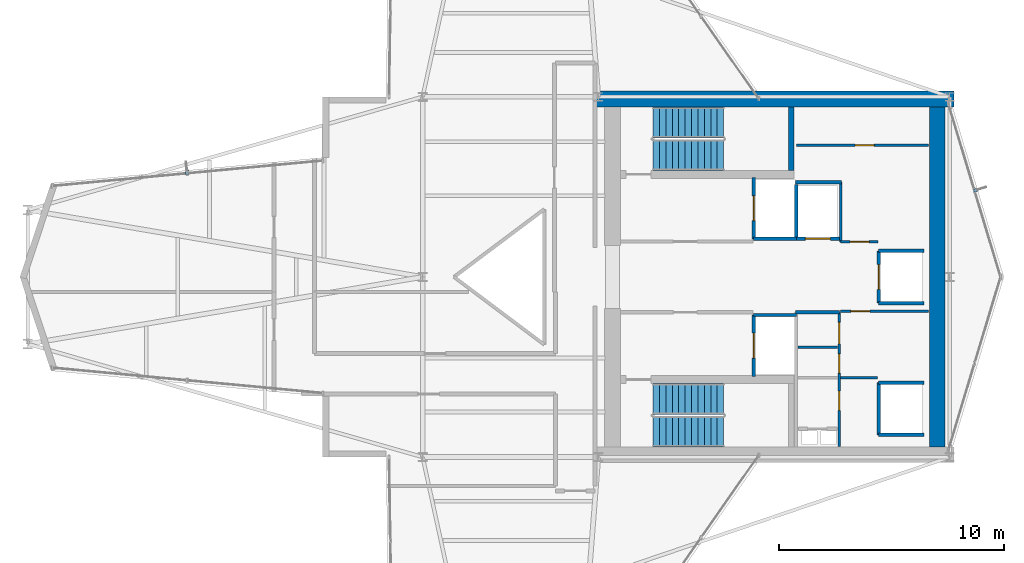
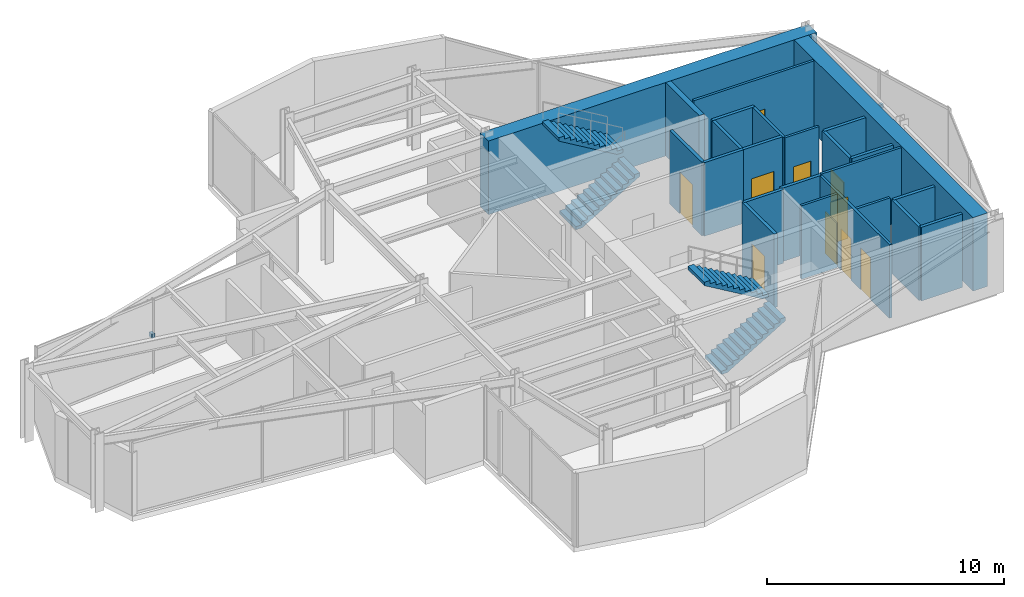
# One storey, part 21 of 22: 24 walls, 10 doors, 4 stair flights, 2 discrete accessories, 10 openings, 2 elements without a shape of their own.
"""IFC4 building model written with IfcOpenShell, lengths in metres."""

from ifc_helpers import new_model, si_unit, direction, frame, frame_2d, origin, origin_2d, place, context, subcontext, project, spatial, polyline, rectangle, outline, extrude, material, layer, layer_set, type_object, element, fill, aggregate, save


model = new_model("IFC4")

# Units and contexts
model_context = context("Model", 3, precision=1e-05, world=origin(), true_north=direction((0.0, 1.0)))
body_context = subcontext(model_context, "Body", "Model", "MODEL_VIEW")
ifc_project = project(units=[si_unit("LENGTHUNIT", "METRE"), si_unit("AREAUNIT", "SQUARE_METRE"), si_unit("VOLUMEUNIT", "CUBIC_METRE"), si_unit("PLANEANGLEUNIT", "RADIAN"), si_unit("MASSUNIT", "GRAM", prefix="KILO")], contexts=[model_context])

# Site, building, storey
site_placement = place(None, origin())
site = spatial("IfcSite", under=ifc_project, at=site_placement, CompositionType="ELEMENT")
building_placement = place(site_placement, origin())
building = spatial("IfcBuilding", under=site, at=building_placement, Name="Veymaron Broadcast Tower", CompositionType="ELEMENT")
storey_placement = place(building_placement, frame((0.0, 0.0, 216.14990234375)))
storey = spatial("IfcBuildingStorey", under=building, at=storey_placement, Name="L50", CompositionType="ELEMENT", Elevation=216.14990234375)

# Wall, opening, door
ifc_material_1 = material(Name="Gypsum fireboard and steel stud framing", Category="steel")
ifc_layer_1 = layer(ifc_material_1, 0.14990234375)
ifc_layer_set_1 = layer_set([ifc_layer_1], Name="Gypsum fireboard and steel stud framing")
wall_type_1 = type_object("IfcWallType", Name="WALL-FIRE-150", PredefinedType="PARTITIONING", material=ifc_layer_set_1)
wall_1_placement = place(storey_placement, frame((45.89501953125, 25.68994140625, 0.0), z_axis=(0.0, 0.0, 1.0), x_axis=(0.0, 1.0, 0.0)))
wall_1 = element("IfcWall", 1, at=wall_1_placement, inside=storey, type_object=wall_type_1, Name="L50 partition IW-L50-SHW-FFL-1", PredefinedType="PARTITIONING", context=body_context, shape_type="SweptSolid", body=[
    extrude(rectangle(XDim=2.719970703125, YDim=0.14990234375, at=frame_2d((1.35986328125, 0.0))), origin(), (0.0, 0.0, 1.0), 3.7900390625),
])
opening_1_placement = place(wall_1_placement, frame((0.81005859375, 0.0, 0.0)))
opening_1 = element("IfcOpeningElement", 2, at=opening_1_placement, cuts=wall_1, Name="Opening LD", PredefinedType="OPENING", context=body_context, shape_type="SweptSolid", body=[
    extrude(rectangle(XDim=1.10009765625, YDim=2.14990234375, at=frame_2d((0.550048828125, 1.074951171875))), frame((0.0, 0.0849609375, 0.0), z_axis=(0.0, -1.0, 0.0), x_axis=(1.0, 0.0, 0.0)), (0.0, 0.0, 1.0), 0.169921875),
])
ifc_material_2 = material(Name="Brushed stainless steel AISI 304", Category="steel")
door_type_1 = type_object("IfcDoorType", Name="DOOR-LIFT-1100", OperationType="DOUBLE_DOOR_SLIDING", PredefinedType="DOOR", material=ifc_material_2)
door_1_placement = place(opening_1_placement, frame((1.10009765625, 0.0, 0.0), z_axis=(0.0, 0.0, 1.0), x_axis=(-1.0, 0.0, 0.0)))
door_1 = element("IfcDoor", 3, at=door_1_placement, inside=storey, type_object=door_type_1, Name="L50 door LD-L50-FFL-1", OperationType="DOUBLE_DOOR_SLIDING", OverallHeight=2.14990234375, OverallWidth=1.10009765625, PredefinedType="DOOR", context=body_context, shape_type="SweptSolid", body=[
    extrude(rectangle(XDim=1.10009765625, YDim=2.14990234375, at=frame_2d((0.550048828125, 1.074951171875))), frame((0.0, 0.02490234375, 0.0), z_axis=(0.0, -1.0, 0.0), x_axis=(1.0, 0.0, 0.0)), (0.0, 0.0, 1.0), 0.050048828125),
])
fill(opening_1, door_1)

# Wall
wall_2_placement = place(storey_placement, frame((45.89501953125, 25.68994140625, 0.0), z_axis=(0.0, 0.0, 1.0), x_axis=(1.0, 0.0, 0.0)))
element("IfcWall", 4, at=wall_2_placement, inside=storey, type_object=wall_type_1, Name="L50 partition IW-L50-SHS-FFL-1", PredefinedType="PARTITIONING", context=body_context, shape_type="SweptSolid", body=[
    extrude(rectangle(XDim=1.9150390625, YDim=0.14990234375, at=frame_2d((0.95751953125, 0.0))), origin(), (0.0, 0.0, 1.0), 3.7900390625),
])

# Wall, opening, door
wall_3_placement = place(storey_placement, frame((45.89501953125, 19.590087890625, 0.0), z_axis=(0.0, 0.0, 1.0), x_axis=(0.0, 1.0, 0.0)))
wall_3 = element("IfcWall", 5, at=wall_3_placement, inside=storey, type_object=wall_type_1, Name="L50 partition IW-L50-SHW-FFL-2", PredefinedType="PARTITIONING", context=body_context, shape_type="SweptSolid", body=[
    extrude(rectangle(XDim=2.719970703125, YDim=0.14990234375, at=frame_2d((1.35986328125, 0.0))), origin(), (0.0, 0.0, 1.0), 3.7900390625),
])
opening_2_placement = place(wall_3_placement, frame((0.81005859375, 0.0, 0.0)))
opening_2 = element("IfcOpeningElement", 6, at=opening_2_placement, cuts=wall_3, Name="Opening LD", PredefinedType="OPENING", context=body_context, shape_type="SweptSolid", body=[
    extrude(rectangle(XDim=1.10009765625, YDim=2.14990234375, at=frame_2d((0.550048828125, 1.074951171875))), frame((0.0, 0.0849609375, 0.0), z_axis=(0.0, -1.0, 0.0), x_axis=(1.0, 0.0, 0.0)), (0.0, 0.0, 1.0), 0.169921875),
])
door_2_placement = place(opening_2_placement, frame((1.10009765625, 0.0, 0.0), z_axis=(0.0, 0.0, 1.0), x_axis=(-1.0, 0.0, 0.0)))
door_2 = element("IfcDoor", 7, at=door_2_placement, inside=storey, type_object=door_type_1, Name="L50 door LD-L50-FFL-2", OperationType="DOUBLE_DOOR_SLIDING", OverallHeight=2.14990234375, OverallWidth=1.10009765625, PredefinedType="DOOR", context=body_context, shape_type="SweptSolid", body=[
    extrude(rectangle(XDim=1.10009765625, YDim=2.14990234375, at=frame_2d((0.550048828125, 1.074951171875))), frame((0.0, 0.02490234375, 0.0), z_axis=(0.0, -1.0, 0.0), x_axis=(1.0, 0.0, 0.0)), (0.0, 0.0, 1.0), 0.050048828125),
])
fill(opening_2, door_2)

# Wall
wall_4_placement = place(storey_placement, frame((45.89501953125, 22.31005859375, 0.0), z_axis=(0.0, 0.0, 1.0), x_axis=(1.0, 0.0, 0.0)))
element("IfcWall", 8, at=wall_4_placement, inside=storey, type_object=wall_type_1, Name="L50 partition IW-L50-SHN-FFL-2", PredefinedType="PARTITIONING", context=body_context, shape_type="SweptSolid", body=[
    extrude(rectangle(XDim=1.9150390625, YDim=0.14990234375, at=frame_2d((0.95751953125, 0.0))), origin(), (0.0, 0.0, 1.0), 3.7900390625),
])

# Wall, opening, door
wall_5_placement = place(storey_placement, frame((47.7900390625, 25.695068359375, 0.0), z_axis=(0.0, 0.0, 1.0), x_axis=(1.0, 0.0, 0.0)))
wall_5 = element("IfcWall", 9, at=wall_5_placement, inside=storey, type_object=wall_type_1, Name="L50 partition IW-L50-SHS-SL-1", PredefinedType="PARTITIONING", context=body_context, shape_type="SweptSolid", body=[
    extrude(rectangle(XDim=1.919921875, YDim=0.14990234375, at=frame_2d((0.9599609375, 0.0))), origin(), (0.0, 0.0, 1.0), 3.7900390625),
])
opening_3_placement = place(wall_5_placement, frame((0.409912109375, 0.0, 0.0)))
opening_3 = element("IfcOpeningElement", 10, at=opening_3_placement, cuts=wall_5, Name="Opening LD", PredefinedType="OPENING", context=body_context, shape_type="SweptSolid", body=[
    extrude(rectangle(XDim=1.10009765625, YDim=2.14990234375, at=frame_2d((0.550048828125, 1.074951171875))), frame((0.0, 0.0849609375, 0.0), z_axis=(0.0, -1.0, 0.0), x_axis=(1.0, 0.0, 0.0)), (0.0, 0.0, 1.0), 0.169921875),
])
door_3_placement = place(opening_3_placement, frame((1.10009765625, 0.0, 0.0), z_axis=(0.0, 0.0, 1.0), x_axis=(-1.0, 0.0, 0.0)))
door_3 = element("IfcDoor", 11, at=door_3_placement, inside=storey, type_object=door_type_1, Name="L50 door LD-L50-SL-1", OperationType="DOUBLE_DOOR_SLIDING", OverallHeight=2.14990234375, OverallWidth=1.10009765625, PredefinedType="DOOR", context=body_context, shape_type="SweptSolid", body=[
    extrude(rectangle(XDim=1.10009765625, YDim=2.14990234375, at=frame_2d((0.550048828125, 1.074951171875))), frame((0.0, 0.02490234375, 0.0), z_axis=(0.0, -1.0, 0.0), x_axis=(1.0, 0.0, 0.0)), (0.0, 0.0, 1.0), 0.050048828125),
])
fill(opening_3, door_3)

# Wall
wall_6_placement = place(storey_placement, frame((47.7900390625, 25.695068359375, 0.0), z_axis=(0.0, 0.0, 1.0), x_axis=(0.0, 1.0, 0.0)))
element("IfcWall", 12, at=wall_6_placement, inside=storey, type_object=wall_type_1, Name="L50 partition IW-L50-SHW-SL-1", PredefinedType="PARTITIONING", context=body_context, shape_type="SweptSolid", body=[
    extrude(rectangle(XDim=2.4150390625, YDim=0.14990234375, at=frame_2d((1.20751953125, 0.0))), origin(), (0.0, 0.0, 1.0), 3.7900390625),
])

# Wall, opening, door
wall_7_placement = place(storey_placement, frame((51.445068359375, 22.840087890625, 0.0), z_axis=(0.0, 0.0, 1.0), x_axis=(0.0, 1.0, 0.0)))
wall_7 = element("IfcWall", 13, at=wall_7_placement, inside=storey, type_object=wall_type_1, Name="L50 partition IW-L50-SHW-PM3", PredefinedType="PARTITIONING", context=body_context, shape_type="SweptSolid", body=[
    extrude(rectangle(XDim=2.31982421875, YDim=0.14990234375, at=frame_2d((1.159912109375, 0.0))), origin(), (0.0, 0.0, 1.0), 3.7900390625),
])
opening_4_placement = place(wall_7_placement, frame((0.610107421875, 0.0, 0.0)))
opening_4 = element("IfcOpeningElement", 14, at=opening_4_placement, cuts=wall_7, Name="Opening LD", PredefinedType="OPENING", context=body_context, shape_type="SweptSolid", body=[
    extrude(rectangle(XDim=1.10009765625, YDim=2.14990234375, at=frame_2d((0.550048828125, 1.074951171875))), frame((0.0, 0.0849609375, 0.0), z_axis=(0.0, -1.0, 0.0), x_axis=(1.0, 0.0, 0.0)), (0.0, 0.0, 1.0), 0.169921875),
])
door_4_placement = place(opening_4_placement, frame((1.10009765625, 0.0, 0.0), z_axis=(0.0, 0.0, 1.0), x_axis=(-1.0, 0.0, 0.0)))
door_4 = element("IfcDoor", 15, at=door_4_placement, inside=storey, type_object=door_type_1, Name="L50 door LD-L50-PM3", OperationType="DOUBLE_DOOR_SLIDING", OverallHeight=2.14990234375, OverallWidth=1.10009765625, PredefinedType="DOOR", context=body_context, shape_type="SweptSolid", body=[
    extrude(rectangle(XDim=1.10009765625, YDim=2.14990234375, at=frame_2d((0.550048828125, 1.074951171875))), frame((0.0, 0.02490234375, 0.0), z_axis=(0.0, -1.0, 0.0), x_axis=(1.0, 0.0, 0.0)), (0.0, 0.0, 1.0), 0.050048828125),
])
fill(opening_4, door_4)

# Walls
for number, where, z_axis, x_axis, name in (
    (16, (51.445068359375, 22.840087890625, 0.0), (0.0, 0.0, 1.0), (1.0, 0.0, 0.0), "L50 partition IW-L50-SHS-PM3"),
    (17, (51.445068359375, 25.159912109375, 0.0), (0.0, 0.0, 1.0), (1.0, 0.0, 0.0), "L50 partition IW-L50-SHN-PM3"),
):
    element("IfcWall", number, at=place(storey_placement, frame(where, z_axis=z_axis, x_axis=x_axis)), inside=storey, type_object=wall_type_1, Name=name, PredefinedType="PARTITIONING", context=body_context, shape_type="SweptSolid", body=[
        extrude(rectangle(XDim=2.014892578125, YDim=0.14990234375, at=frame_2d((1.00732421875, 0.0))), origin(), (0.0, 0.0, 1.0), 3.7900390625),
    ])
wall_8_placement = place(storey_placement, frame((51.445068359375, 16.989990234375, 0.0), z_axis=(0.0, 0.0, 1.0), x_axis=(0.0, 1.0, 0.0)))
element("IfcWall", 18, at=wall_8_placement, inside=storey, type_object=wall_type_1, Name="L50 partition IW-L50-SHW-PH1", PredefinedType="PARTITIONING", context=body_context, shape_type="SweptSolid", body=[
    extrude(rectangle(XDim=2.320068359375, YDim=0.14990234375, at=frame_2d((1.16015625, 0.0))), origin(), (0.0, 0.0, 1.0), 3.7900390625),
])
for number, where, z_axis, x_axis, name in (
    (19, (51.445068359375, 16.989990234375, 0.0), (0.0, 0.0, 1.0), (1.0, 0.0, 0.0), "L50 partition IW-L50-SHS-PH1"),
    (20, (51.445068359375, 19.31005859375, 0.0), (0.0, 0.0, 1.0), (1.0, 0.0, 0.0), "L50 partition IW-L50-SHN-PH1"),
):
    element("IfcWall", number, at=place(storey_placement, frame(where, z_axis=z_axis, x_axis=x_axis)), inside=storey, type_object=wall_type_1, Name=name, PredefinedType="PARTITIONING", context=body_context, shape_type="SweptSolid", body=[
        extrude(rectangle(XDim=2.014892578125, YDim=0.14990234375, at=frame_2d((1.00732421875, 0.0))), origin(), (0.0, 0.0, 1.0), 3.7900390625),
    ])
wall_9_placement = place(storey_placement, frame((47.760009765625, 22.425048828125, 0.0), z_axis=(0.0, 0.0, 1.0), x_axis=(1.0, 0.0, 0.0)))
element("IfcWall", 21, at=wall_9_placement, inside=storey, type_object=wall_type_1, Name="L50 partition IW-L50-SM-N", PredefinedType="PARTITIONING", context=body_context, shape_type="SweptSolid", body=[
    extrude(rectangle(XDim=1.9599609375, YDim=0.14990234375, at=frame_2d((0.97998046875, 0.0))), origin(), (0.0, 0.0, 1.0), 3.7900390625),
])
wall_10_placement = place(storey_placement, frame((47.760009765625, 28.199951171875, 0.0), z_axis=(0.0, 0.0, 1.0), x_axis=(1.0, 0.0, 0.0)))
element("IfcWall", 22, at=wall_10_placement, inside=storey, type_object=wall_type_1, Name="L50 partition IW-L50-F2-SW", PredefinedType="PARTITIONING", context=body_context, shape_type="SweptSolid", body=[
    extrude(rectangle(XDim=2.0400390625, YDim=0.14990234375, at=frame_2d((1.02001953125, 0.0))), origin(), (0.0, 0.0, 1.0), 3.7900390625),
])
ifc_material_3 = material(Name="Acoustic gypsum board and galvanized stud", Category="gypsum")
ifc_layer_2 = layer(ifc_material_3, 0.1201171875)
ifc_layer_set_2 = layer_set([ifc_layer_2], Name="Acoustic gypsum board and galvanized stud")
wall_type_2 = type_object("IfcWallType", Name="WALL-PART-120", PredefinedType="PARTITIONING", material=ifc_layer_set_2)
wall_11_placement = place(storey_placement, frame((47.860107421875, 20.8798828125, 0.0), z_axis=(0.0, 0.0, 1.0), x_axis=(1.0, 0.0, 0.0)))
element("IfcWall", 23, at=wall_11_placement, inside=storey, type_object=wall_type_2, Name="L50 partition IW-L50-SM-D2", PredefinedType="PARTITIONING", context=body_context, shape_type="SweptSolid", body=[
    extrude(rectangle(XDim=1.760009765625, YDim=0.1201171875, at=frame_2d((0.8798828125, 0.0))), origin(), (0.0, 0.0, 1.0), 3.7900390625),
])

# Wall, openings, doors
wall_12_placement = place(storey_placement, frame((49.699951171875, 16.47998046875, 0.0), z_axis=(0.0, 0.0, 1.0), x_axis=(0.0, 1.0, 0.0)))
wall_12 = element("IfcWall", 24, at=wall_12_placement, inside=storey, type_object=wall_type_2, Name="L50 partition IW-L50-SM-E", PredefinedType="PARTITIONING", context=body_context, shape_type="SweptSolid", body=[
    extrude(rectangle(XDim=5.945068359375, YDim=0.1201171875, at=frame_2d((2.97265625, 0.0))), origin(), (0.0, 0.0, 1.0), 3.7900390625),
])
opening_5_placement = place(wall_12_placement, frame((1.60009765625, 0.0, 0.0)))
opening_5 = element("IfcOpeningElement", 25, at=opening_5_placement, cuts=wall_12, Name="Opening ID-WC1", PredefinedType="OPENING", context=body_context, shape_type="SweptSolid", body=[
    extrude(rectangle(XDim=0.85009765625, YDim=2.14990234375, at=frame_2d((0.425048828125, 1.074951171875))), frame((0.0, 0.070068359375, 0.0), z_axis=(0.0, -1.0, 0.0), x_axis=(1.0, 0.0, 0.0)), (0.0, 0.0, 1.0), 0.14013671875),
])
opening_6_placement = place(wall_12_placement, frame((3.25, 0.0, 0.0)))
opening_6 = element("IfcOpeningElement", 26, at=opening_6_placement, cuts=wall_12, Name="Opening ID-WC1", PredefinedType="OPENING", context=body_context, shape_type="SweptSolid", body=[
    extrude(rectangle(XDim=0.85009765625, YDim=2.14990234375, at=frame_2d((0.425048828125, 1.074951171875))), frame((0.0, 0.070068359375, 0.0), z_axis=(0.0, -1.0, 0.0), x_axis=(1.0, 0.0, 0.0)), (0.0, 0.0, 1.0), 0.14013671875),
])
opening_7_placement = place(wall_12_placement, frame((4.550048828125, 0.0, 0.0)))
opening_7 = element("IfcOpeningElement", 27, at=opening_7_placement, cuts=wall_12, Name="Opening ID-RM1", PredefinedType="OPENING", context=body_context, shape_type="SweptSolid", body=[
    extrude(rectangle(XDim=0.949951171875, YDim=2.14990234375, at=frame_2d((0.47509765625, 1.074951171875))), frame((0.0, 0.070068359375, 0.0), z_axis=(0.0, -1.0, 0.0), x_axis=(1.0, 0.0, 0.0)), (0.0, 0.0, 1.0), 0.14013671875),
])
ifc_material_4 = material(Name="Moisture-resistant high-pressure laminate timber", Category="wood")
door_type_2 = type_object("IfcDoorType", Name="DOOR-INT-850", OperationType="NOTDEFINED", PredefinedType="DOOR", material=ifc_material_4)
door_5_placement = place(opening_5_placement, frame((0.85009765625, 0.0, 0.0), z_axis=(0.0, 0.0, 1.0), x_axis=(-1.0, 0.0, 0.0)))
door_5 = element("IfcDoor", 28, at=door_5_placement, inside=storey, type_object=door_type_2, Name="L50 door DR-L50-JST", OperationType="SINGLE_SWING_LEFT", OverallHeight=2.14990234375, OverallWidth=0.85009765625, PredefinedType="DOOR", context=body_context, shape_type="SweptSolid", body=[
    extrude(rectangle(XDim=0.85009765625, YDim=2.14990234375, at=frame_2d((0.425048828125, 1.074951171875))), frame((0.0, 0.02490234375, 0.0), z_axis=(0.0, -1.0, 0.0), x_axis=(1.0, 0.0, 0.0)), (0.0, 0.0, 1.0), 0.050048828125),
])
fill(opening_5, door_5)
door_6_placement = place(opening_6_placement, frame((0.85009765625, 0.0, 0.0), z_axis=(0.0, 0.0, 1.0), x_axis=(-1.0, 0.0, 0.0)))
door_6 = element("IfcDoor", 29, at=door_6_placement, inside=storey, type_object=door_type_2, Name="L50 door DR-L50-SWC", OperationType="SINGLE_SWING_RIGHT", OverallHeight=2.14990234375, OverallWidth=0.85009765625, PredefinedType="DOOR", context=body_context, shape_type="SweptSolid", body=[
    extrude(rectangle(XDim=0.85009765625, YDim=2.14990234375, at=frame_2d((0.425048828125, 1.074951171875))), frame((0.0, 0.02490234375, 0.0), z_axis=(0.0, -1.0, 0.0), x_axis=(1.0, 0.0, 0.0)), (0.0, 0.0, 1.0), 0.050048828125),
])
fill(opening_6, door_6)
ifc_material_5 = material(Name="Acoustic solid-core European oak veneer timber", Category="wood")
door_type_3 = type_object("IfcDoorType", Name="DOOR-INT-950", OperationType="NOTDEFINED", PredefinedType="DOOR", material=ifc_material_5)
door_7_placement = place(opening_7_placement, frame((0.949951171875, 0.0, 0.0), z_axis=(0.0, 0.0, 1.0), x_axis=(-1.0, 0.0, 0.0)))
door_7 = element("IfcDoor", 30, at=door_7_placement, inside=storey, type_object=door_type_3, Name="L50 door DR-L50-AWC", OperationType="SINGLE_SWING_LEFT", OverallHeight=2.14990234375, OverallWidth=0.949951171875, PredefinedType="DOOR", context=body_context, shape_type="SweptSolid", body=[
    extrude(rectangle(XDim=0.949951171875, YDim=2.14990234375, at=frame_2d((0.47509765625, 1.074951171875))), frame((0.0, 0.02490234375, 0.0), z_axis=(0.0, -1.0, 0.0), x_axis=(1.0, 0.0, 0.0)), (0.0, 0.0, 1.0), 0.050048828125),
])
fill(opening_7, door_7)

# Wall, opening, door
wall_13_placement = place(storey_placement, frame((49.760009765625, 22.47998046875, 0.0), z_axis=(0.0, 0.0, 1.0), x_axis=(1.0, 0.0, 0.0)))
wall_13 = element("IfcWall", 31, at=wall_13_placement, inside=storey, type_object=wall_type_2, Name="L50 partition IW-L50-F2S-N", PredefinedType="PARTITIONING", context=body_context, shape_type="SweptSolid", body=[
    extrude(rectangle(XDim=3.89990234375, YDim=0.1201171875, at=frame_2d((1.949951171875, 0.0))), origin(), (0.0, 0.0, 1.0), 3.7900390625),
])
opening_8_placement = place(wall_13_placement, frame((0.449951171875, 0.0, 0.0)))
opening_8 = element("IfcOpeningElement", 32, at=opening_8_placement, cuts=wall_13, Name="Opening ID-WC1", PredefinedType="OPENING", context=body_context, shape_type="SweptSolid", body=[
    extrude(rectangle(XDim=0.85009765625, YDim=2.14990234375, at=frame_2d((0.425048828125, 1.074951171875))), frame((0.0, 0.070068359375, 0.0), z_axis=(0.0, -1.0, 0.0), x_axis=(1.0, 0.0, 0.0)), (0.0, 0.0, 1.0), 0.14013671875),
])
door_8_placement = place(opening_8_placement, frame((0.85009765625, 0.0, 0.0), z_axis=(0.0, 0.0, 1.0), x_axis=(-1.0, 0.0, 0.0)))
door_8 = element("IfcDoor", 33, at=door_8_placement, inside=storey, type_object=door_type_2, Name="L50 door DR-L50-F2S", OperationType="SINGLE_SWING_LEFT", OverallHeight=2.14990234375, OverallWidth=0.85009765625, PredefinedType="DOOR", context=body_context, shape_type="SweptSolid", body=[
    extrude(rectangle(XDim=0.85009765625, YDim=2.14990234375, at=frame_2d((0.425048828125, 1.074951171875))), frame((0.0, 0.02490234375, 0.0), z_axis=(0.0, -1.0, 0.0), x_axis=(1.0, 0.0, 0.0)), (0.0, 0.0, 1.0), 0.050048828125),
])
fill(opening_8, door_8)

# Walls
wall_14_placement = place(storey_placement, frame((49.760009765625, 19.52001953125, 0.0), z_axis=(0.0, 0.0, 1.0), x_axis=(1.0, 0.0, 0.0)))
element("IfcWall", 34, at=wall_14_placement, inside=storey, type_object=wall_type_2, Name="L50 partition IW-L50-F2S-S", PredefinedType="PARTITIONING", context=body_context, shape_type="SweptSolid", body=[
    extrude(rectangle(XDim=1.639892578125, YDim=0.1201171875, at=frame_2d((0.81982421875, 0.0))), origin(), (0.0, 0.0, 1.0), 3.7900390625),
])
wall_15_placement = place(storey_placement, frame((49.760009765625, 25.56005859375, 0.0), z_axis=(0.0, 0.0, 1.0), x_axis=(0.0, 1.0, 0.0)))
element("IfcWall", 35, at=wall_15_placement, inside=storey, type_object=wall_type_2, Name="L50 partition IW-L50-F2-W1", PredefinedType="PARTITIONING", context=body_context, shape_type="SweptSolid", body=[
    extrude(rectangle(XDim=2.659912109375, YDim=0.1201171875, at=frame_2d((1.330078125, 0.0))), origin(), (0.0, 0.0, 1.0), 3.7900390625),
])

# Wall, opening, door
wall_16_placement = place(storey_placement, frame((49.760009765625, 25.56005859375, 0.0), z_axis=(0.0, 0.0, 1.0), x_axis=(1.0, 0.0, 0.0)))
wall_16 = element("IfcWall", 36, at=wall_16_placement, inside=storey, type_object=wall_type_2, Name="L50 partition IW-L50-F2-S", PredefinedType="PARTITIONING", context=body_context, shape_type="SweptSolid", body=[
    extrude(rectangle(XDim=1.659912109375, YDim=0.1201171875, at=frame_2d((0.830078125, 0.0))), origin(), (0.0, 0.0, 1.0), 3.7900390625),
])
opening_9_placement = place(wall_16_placement, frame((0.419921875, 0.0, 0.0)))
opening_9 = element("IfcOpeningElement", 37, at=opening_9_placement, cuts=wall_16, Name="Opening ID-WC1", PredefinedType="OPENING", context=body_context, shape_type="SweptSolid", body=[
    extrude(rectangle(XDim=0.85009765625, YDim=2.14990234375, at=frame_2d((0.425048828125, 1.074951171875))), frame((0.0, 0.070068359375, 0.0), z_axis=(0.0, -1.0, 0.0), x_axis=(1.0, 0.0, 0.0)), (0.0, 0.0, 1.0), 0.14013671875),
])
door_9_placement = place(opening_9_placement, origin())
door_9 = element("IfcDoor", 38, at=door_9_placement, inside=storey, type_object=door_type_2, Name="L50 door DR-L50-F2A", OperationType="SINGLE_SWING_LEFT", OverallHeight=2.14990234375, OverallWidth=0.85009765625, PredefinedType="DOOR", context=body_context, shape_type="SweptSolid", body=[
    extrude(rectangle(XDim=0.85009765625, YDim=2.14990234375, at=frame_2d((0.425048828125, 1.074951171875))), frame((0.0, 0.02490234375, 0.0), z_axis=(0.0, -1.0, 0.0), x_axis=(1.0, 0.0, 0.0)), (0.0, 0.0, 1.0), 0.050048828125),
])
fill(opening_9, door_9)

wall_17_placement = place(storey_placement, frame((47.800048828125, 29.85009765625, 0.0), z_axis=(0.0, 0.0, 1.0), x_axis=(1.0, 0.0, 0.0)))
wall_17 = element("IfcWall", 39, at=wall_17_placement, inside=storey, type_object=wall_type_2, Name="L50 partition IW-L50-F2-M", PredefinedType="PARTITIONING", context=body_context, shape_type="SweptSolid", body=[
    extrude(rectangle(XDim=5.85986328125, YDim=0.1201171875, at=frame_2d((2.929931640625, 0.0))), origin(), (0.0, 0.0, 1.0), 3.7900390625),
])
opening_10_placement = place(wall_17_placement, frame((2.60009765625, 0.0, 0.0)))
opening_10 = element("IfcOpeningElement", 40, at=opening_10_placement, cuts=wall_17, Name="Opening ID-WC1", PredefinedType="OPENING", context=body_context, shape_type="SweptSolid", body=[
    extrude(rectangle(XDim=0.85009765625, YDim=2.14990234375, at=frame_2d((0.425048828125, 1.074951171875))), frame((0.0, 0.070068359375, 0.0), z_axis=(0.0, -1.0, 0.0), x_axis=(1.0, 0.0, 0.0)), (0.0, 0.0, 1.0), 0.14013671875),
])
door_10_placement = place(opening_10_placement, origin())
door_10 = element("IfcDoor", 41, at=door_10_placement, inside=storey, type_object=door_type_2, Name="L50 door DR-L50-F2B", OperationType="SINGLE_SWING_LEFT", OverallHeight=2.14990234375, OverallWidth=0.85009765625, PredefinedType="DOOR", context=body_context, shape_type="SweptSolid", body=[
    extrude(rectangle(XDim=0.85009765625, YDim=2.14990234375, at=frame_2d((0.425048828125, 1.074951171875))), frame((0.0, 0.02490234375, 0.0), z_axis=(0.0, -1.0, 0.0), x_axis=(1.0, 0.0, 0.0)), (0.0, 0.0, 1.0), 0.050048828125),
])
fill(opening_10, door_10)

# Walls
ifc_material_6 = material(Name="Concrete C50/60", Category="concrete")
ifc_layer_3 = layer(ifc_material_6, 0.25)
ifc_layer_set_3 = layer_set([ifc_layer_3], Name="Concrete C50/60")
wall_type_3 = type_object("IfcWallType", Name="WALL-SHEAR-250", PredefinedType="SHEAR", material=ifc_layer_set_3)
wall_18_placement = place(storey_placement, frame((47.56494140625, 28.72998046875, 0.0), z_axis=(0.0, 0.0, 1.0), x_axis=(0.0, 1.0, 0.0)))
element("IfcWall", 42, at=wall_18_placement, inside=storey, type_object=wall_type_3, Name="L50 Core Wall north stair east shear", PredefinedType="SHEAR", context=body_context, shape_type="SweptSolid", body=[
    extrude(rectangle(XDim=2.820068359375, YDim=0.25, at=frame_2d((1.41015625, 0.0))), origin(), (0.0, 0.0, 1.0), 3.7900390625),
])
ifc_material_7 = material(Name="Concrete C60/75", Category="concrete")
ifc_layer_4 = layer(ifc_material_7, 0.699951171875)
ifc_layer_set_4 = layer_set([ifc_layer_4], Name="Concrete C60/75")
wall_type_4 = type_object("IfcWallType", Name="WALL-SHEAR-700", PredefinedType="SHEAR", material=ifc_layer_set_4)
wall_19_placement = place(storey_placement, frame((38.800048828125, 31.89990234375, 0.0), z_axis=(0.0, 0.0, 1.0), x_axis=(1.0, 0.0, 0.0)))
element("IfcWall", 43, at=wall_19_placement, inside=storey, type_object=wall_type_4, Name="L50 Core Wall north shear", PredefinedType="SHEAR", context=body_context, shape_type="SweptSolid", body=[
    extrude(rectangle(XDim=16.0, YDim=0.699951171875, at=frame_2d((8.0, 0.0))), origin(), (0.0, 0.0, 1.0), 3.7900390625),
])
wall_20_placement = place(storey_placement, frame((54.050048828125, 16.449951171875, 0.0), z_axis=(0.0, 0.0, 1.0), x_axis=(0.0, 1.0, 0.0)))
element("IfcWall", 44, at=wall_20_placement, inside=storey, type_object=wall_type_4, Name="L50 Core Wall east shear", PredefinedType="SHEAR", context=body_context, shape_type="SweptSolid", body=[
    extrude(rectangle(XDim=15.10009765625, YDim=0.699951171875, at=frame_2d((7.550048828125, 0.0))), origin(), (0.0, 0.0, 1.0), 3.7900390625),
])

# Stair, stair flights
stair_type_1 = type_object("IfcStairType", Name="STAIR-CORE-1", PredefinedType="HALF_TURN_STAIR", material=ifc_material_6)
stair_1_placement = place(storey_placement, origin())
stair_1 = element("IfcStair", 45, at=stair_1_placement, inside=storey, type_object=stair_type_1, Name="L50 North protected dog-leg exit stair ST1", PredefinedType="HALF_TURN_STAIR")
ifc_material_8 = material(Name="Precast concrete C50/60", Category="concrete")
stair_flight_type = type_object("IfcStairFlightType", Name="FLT-CORE-RC", PredefinedType="STRAIGHT", material=ifc_material_8)
stair_flight_1_placement = place(storey_placement, frame((41.429931640625, 29.419921875, 0.0), z_axis=(0.0, 0.0, 1.0), x_axis=(1.0, 0.0, 0.0)))
stair_flight_1 = element("IfcStairFlight", 46, at=stair_flight_1_placement, type_object=stair_flight_type, Name="ST1 flight 1", NumberOfRisers=12, NumberOfTreads=11, PredefinedType="STRAIGHT", RiserHeight=0.16875, TreadLength=0.285, context=body_context, shape_type="SweptSolid", body=[
    extrude(outline(polyline([(0.0, 0.0), (0.0, 0.168701171875), (0.284912109375, 0.168701171875), (0.284912109375, 0.33740234375), (0.570068359375, 0.33740234375), (0.570068359375, 0.50634765625), (0.85498046875, 0.50634765625), (0.85498046875, 0.675048828125), (1.139892578125, 0.675048828125), (1.139892578125, 0.84375), (1.425048828125, 0.84375), (1.425048828125, 1.012451171875), (1.7099609375, 1.012451171875), (1.7099609375, 1.18115234375), (1.9951171875, 1.18115234375), (1.9951171875, 1.35009765625), (2.280029296875, 1.35009765625), (2.280029296875, 1.518798828125), (2.56494140625, 1.518798828125), (2.56494140625, 1.6875), (2.85009765625, 1.6875), (2.85009765625, 1.856201171875), (3.135009765625, 1.856201171875), (3.135009765625, 2.02490234375), (3.135009765625, 1.68212890625), (0.294189453125, 0.0), (0.0, 0.0)])), frame((0.0, 0.68994140625, 0.0), z_axis=(0.0, -1.0, 0.0), x_axis=(1.0, 0.0, 0.0)), (0.0, 0.0, 1.0), 1.3798828125),
])
stair_flight_2_placement = place(storey_placement, frame((44.56494140625, 30.860107421875, 2.025146484375), z_axis=(0.0, 0.0, 1.0), x_axis=(-1.0, 0.0, 0.0)))
stair_flight_2 = element("IfcStairFlight", 47, at=stair_flight_2_placement, type_object=stair_flight_type, Name="ST1 flight 2", NumberOfRisers=12, NumberOfTreads=11, PredefinedType="STRAIGHT", RiserHeight=0.16875, TreadLength=0.285, context=body_context, shape_type="SweptSolid", body=[
    extrude(outline(polyline([(0.0, 0.0), (0.0, 0.168701171875), (0.284912109375, 0.168701171875), (0.284912109375, 0.33740234375), (0.570068359375, 0.33740234375), (0.570068359375, 0.50634765625), (0.85498046875, 0.50634765625), (0.85498046875, 0.675048828125), (1.139892578125, 0.675048828125), (1.139892578125, 0.84375), (1.425048828125, 0.84375), (1.425048828125, 1.012451171875), (1.7099609375, 1.012451171875), (1.7099609375, 1.18115234375), (1.9951171875, 1.18115234375), (1.9951171875, 1.35009765625), (2.280029296875, 1.35009765625), (2.280029296875, 1.518798828125), (2.56494140625, 1.518798828125), (2.56494140625, 1.6875), (2.85009765625, 1.6875), (2.85009765625, 1.856201171875), (3.135009765625, 1.856201171875), (3.135009765625, 2.02490234375), (3.135009765625, 1.68212890625), (0.294189453125, 0.0), (0.0, 0.0)])), frame((0.0, 0.68994140625, 0.0), z_axis=(0.0, -1.0, 0.0), x_axis=(1.0, 0.0, 0.0)), (0.0, 0.0, 1.0), 1.3798828125),
])
aggregate(stair_1, [stair_flight_1, stair_flight_2])

stair_type_2 = type_object("IfcStairType", Name="STAIR-CORE-2", PredefinedType="HALF_TURN_STAIR", material=ifc_material_6)
stair_2_placement = place(storey_placement, origin())
stair_2 = element("IfcStair", 48, at=stair_2_placement, inside=storey, type_object=stair_type_2, Name="L50 South protected dog-leg exit stair ST2", PredefinedType="HALF_TURN_STAIR")
stair_flight_3_placement = place(storey_placement, frame((41.429931640625, 17.139892578125, 0.0), z_axis=(0.0, 0.0, 1.0), x_axis=(1.0, 0.0, 0.0)))
stair_flight_3 = element("IfcStairFlight", 49, at=stair_flight_3_placement, type_object=stair_flight_type, Name="ST2 flight 1", NumberOfRisers=12, NumberOfTreads=11, PredefinedType="STRAIGHT", RiserHeight=0.16875, TreadLength=0.285, context=body_context, shape_type="SweptSolid", body=[
    extrude(outline(polyline([(0.0, 0.0), (0.0, 0.168701171875), (0.284912109375, 0.168701171875), (0.284912109375, 0.33740234375), (0.570068359375, 0.33740234375), (0.570068359375, 0.50634765625), (0.85498046875, 0.50634765625), (0.85498046875, 0.675048828125), (1.139892578125, 0.675048828125), (1.139892578125, 0.84375), (1.425048828125, 0.84375), (1.425048828125, 1.012451171875), (1.7099609375, 1.012451171875), (1.7099609375, 1.18115234375), (1.9951171875, 1.18115234375), (1.9951171875, 1.35009765625), (2.280029296875, 1.35009765625), (2.280029296875, 1.518798828125), (2.56494140625, 1.518798828125), (2.56494140625, 1.6875), (2.85009765625, 1.6875), (2.85009765625, 1.856201171875), (3.135009765625, 1.856201171875), (3.135009765625, 2.02490234375), (3.135009765625, 1.68212890625), (0.294189453125, 0.0), (0.0, 0.0)])), frame((0.0, 0.68994140625, 0.0), z_axis=(0.0, -1.0, 0.0), x_axis=(1.0, 0.0, 0.0)), (0.0, 0.0, 1.0), 1.3798828125),
])
stair_flight_4_placement = place(storey_placement, frame((44.56494140625, 18.580078125, 2.025146484375), z_axis=(0.0, 0.0, 1.0), x_axis=(-1.0, 0.0, 0.0)))
stair_flight_4 = element("IfcStairFlight", 50, at=stair_flight_4_placement, type_object=stair_flight_type, Name="ST2 flight 2", NumberOfRisers=12, NumberOfTreads=11, PredefinedType="STRAIGHT", RiserHeight=0.16875, TreadLength=0.285, context=body_context, shape_type="SweptSolid", body=[
    extrude(outline(polyline([(0.0, 0.0), (0.0, 0.168701171875), (0.284912109375, 0.168701171875), (0.284912109375, 0.33740234375), (0.570068359375, 0.33740234375), (0.570068359375, 0.50634765625), (0.85498046875, 0.50634765625), (0.85498046875, 0.675048828125), (1.139892578125, 0.675048828125), (1.139892578125, 0.84375), (1.425048828125, 0.84375), (1.425048828125, 1.012451171875), (1.7099609375, 1.012451171875), (1.7099609375, 1.18115234375), (1.9951171875, 1.18115234375), (1.9951171875, 1.35009765625), (2.280029296875, 1.35009765625), (2.280029296875, 1.518798828125), (2.56494140625, 1.518798828125), (2.56494140625, 1.6875), (2.85009765625, 1.6875), (2.85009765625, 1.856201171875), (3.135009765625, 1.856201171875), (3.135009765625, 2.02490234375), (3.135009765625, 1.68212890625), (0.294189453125, 0.0), (0.0, 0.0)])), frame((0.0, 0.68994140625, 0.0), z_axis=(0.0, -1.0, 0.0), x_axis=(1.0, 0.0, 0.0)), (0.0, 0.0, 1.0), 1.3798828125),
])
aggregate(stair_2, [stair_flight_3, stair_flight_4])

# Discrete accessories
ifc_material_9 = material(Name="Austenitic stainless steel AISI 316L", Category="steel")
ifc_layer_5 = layer(ifc_material_9, 0.1201171875)
ifc_layer_set_5 = layer_set([ifc_layer_5], Name="Austenitic stainless steel AISI 316L")
discrete_accessory_type = type_object("IfcDiscreteAccessoryType", Name="ACC-BRKT-SS1", PredefinedType="BRACKET", material=ifc_layer_set_5)
for number, where, z_axis, x_axis, name in (
    (51, (55.767578125, 27.85498046875, 1.78515625), (0.0, 0.0, 1.0), (0.957329586062, 0.288998380014, 0.0), "CW-L50-E3-1 fin bracket 1"),
    (52, (20.737548828125, 28.656005859375, 1.78515625), (0.0, 0.0, 1.0), (-0.093256863132, 0.995642083019, 0.0), "CW-L50-E11-1 fin bracket 1"),
):
    element("IfcDiscreteAccessory", number, at=place(storey_placement, frame(where, z_axis=z_axis, x_axis=x_axis)), inside=storey, type_object=discrete_accessory_type, Name=name, PredefinedType="BRACKET", context=body_context, shape_type="SweptSolid", body=[
        extrude(rectangle(XDim=0.219970703125, YDim=0.139892578125, at=origin_2d()), origin(), (0.0, 0.0, 1.0), 0.219970703125),
    ])

save(model, "model.ifc")
